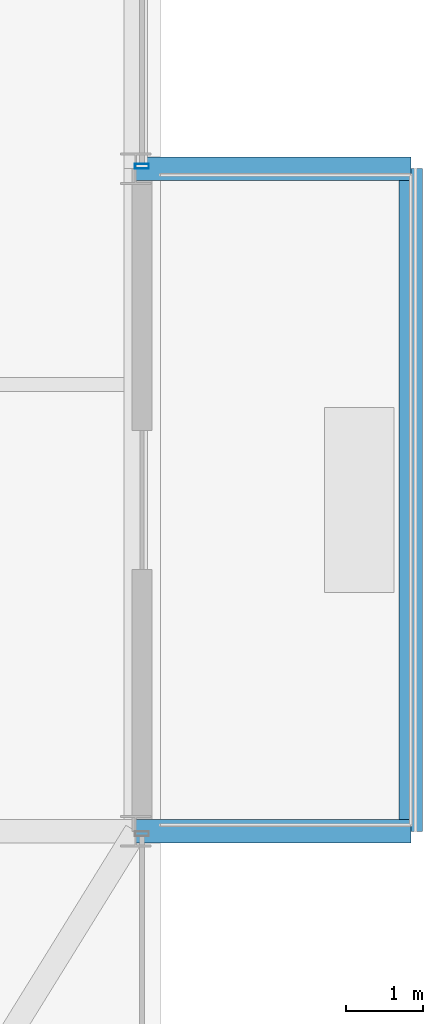
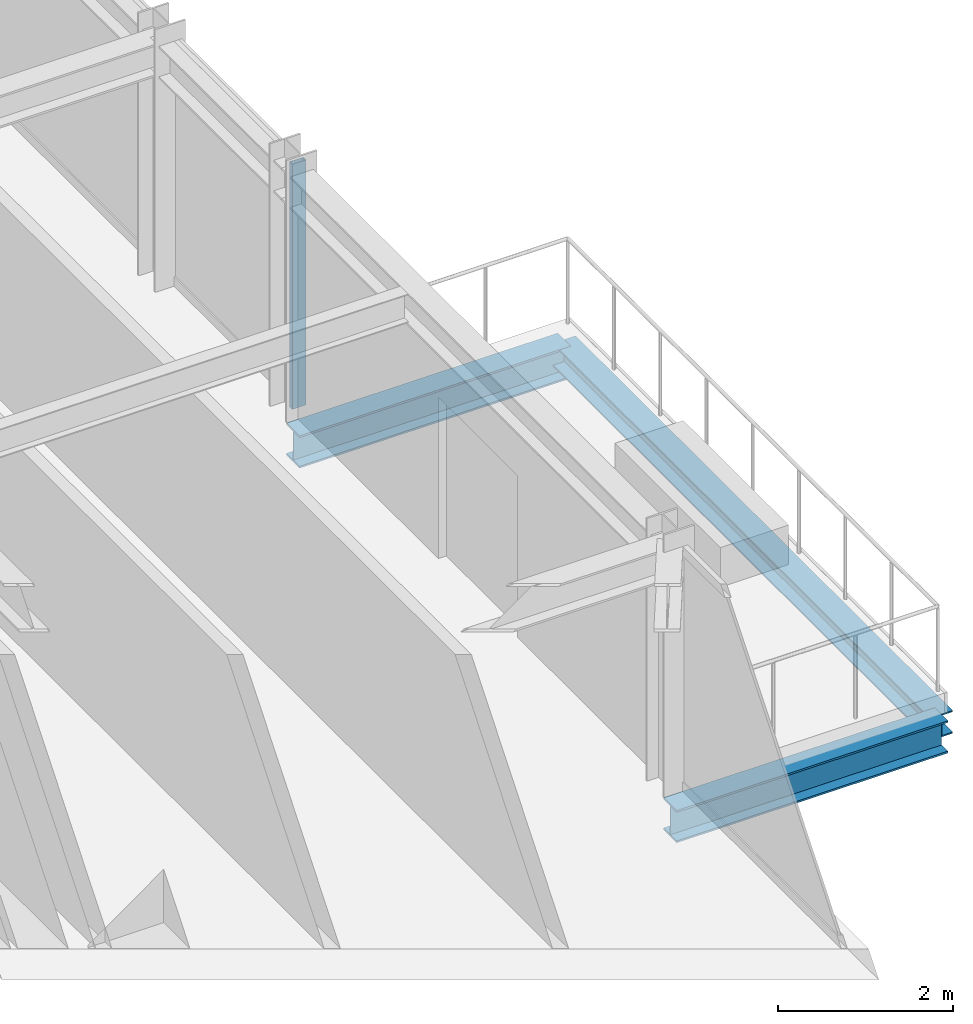
# One storey, part 15 of 43: 3 beams, 1 member, 1 element without a shape of its own.
"""IFC4 building model written with IfcOpenShell, lengths in metres."""

from ifc_helpers import new_model, si_unit, direction, frame, origin, origin_2d, place, context, subcontext, project, spatial, hollow_rectangle, i_section, extrude, source, transform, mapped, material, material_profile, profile_set, type_object, element, aggregate, save


model = new_model("IFC4")

# Units and contexts
model_context = context("Model", 3, precision=1e-05, world=origin(), true_north=direction((0.0, 1.0)))
body_context = subcontext(model_context, "Body", "Model", "MODEL_VIEW")
ifc_project = project(units=[si_unit("LENGTHUNIT", "METRE"), si_unit("AREAUNIT", "SQUARE_METRE"), si_unit("VOLUMEUNIT", "CUBIC_METRE"), si_unit("PLANEANGLEUNIT", "RADIAN"), si_unit("MASSUNIT", "GRAM", prefix="KILO")], contexts=[model_context])

# Site, building, storey
site_placement = place(None, origin())
site = spatial("IfcSite", under=ifc_project, at=site_placement, CompositionType="ELEMENT")
building_placement = place(site_placement, origin())
building = spatial("IfcBuilding", under=site, at=building_placement, Name="Nahalor Promenade Grand Hotel", CompositionType="ELEMENT")
storey_placement = place(building_placement, frame((0.0, 0.0, 204.89990234375)))
storey = spatial("IfcBuildingStorey", under=building, at=storey_placement, Name="L52", CompositionType="ELEMENT", Elevation=204.89990234375)

# Beams
ifc_material_1 = material(Name="Steel S355JR", Category="steel")
ifc_material_profile_1 = material_profile(ifc_material_1, i_section(OverallWidth=0.3, OverallDepth=0.32, WebThickness=0.0115, FlangeThickness=0.0205, at=origin_2d()), Name="HEB 320")
ifc_profile_set_1 = profile_set([ifc_material_profile_1], Name="Steel S355JR")
beam_type_1 = type_object("IfcBeamType", Name="Beam-BalcEdge-HEB320", PredefinedType="SPANDREL", material=ifc_profile_set_1)
shared_shape_1 = source(origin(), body_context, "Body", "SweptSolid", [
    extrude(i_section(OverallWidth=0.3, OverallDepth=0.32, WebThickness=0.0115, FlangeThickness=0.0205, at=origin_2d()), origin(), (0.0, 0.0, 1.0), 8.60009765625),
])
beam_placement = place(storey_placement, frame((27.449951171875, -17.0, -0.43994140625), z_axis=(0.0, 1.0, 0.0), x_axis=(-1.0, 0.0, 0.0)))
element("IfcBeam", 1, at=beam_placement, inside=storey, type_object=beam_type_1, Name="BM-L52-BC-02-F", PredefinedType="SPANDREL", context=body_context, shape_type="MappedRepresentation", body=[
    mapped(shared_shape_1, transform((0.0, 0.0, 0.0), scale=1.0)),
])
ifc_material_profile_2 = material_profile(ifc_material_1, i_section(OverallWidth=0.3, OverallDepth=0.45, WebThickness=0.014, FlangeThickness=0.026, at=origin_2d()), Name="HEB 450")
ifc_profile_set_2 = profile_set([ifc_material_profile_2], Name="Steel S355JR")
beam_type_2 = type_object("IfcBeamType", Name="Beam-Outrigger-HEB450", PredefinedType="BEAM", material=ifc_profile_set_2)
shared_shape_2 = source(origin(), body_context, "Body", "SweptSolid", [
    extrude(i_section(OverallWidth=0.3, OverallDepth=0.45, WebThickness=0.014, FlangeThickness=0.026, at=origin_2d()), origin(), (0.0, 0.0, 1.0), 3.570068359375),
])
for number, where, z_axis, x_axis, name in (
    (2, (23.8798828125, -17.0, -0.5048828125), (1.0, 0.0, 0.0), (0.0, 1.0, 0.0), "BM-L52-BC-02-1"),
    (3, (23.8798828125, -8.39990234375, -0.5048828125), (1.0, 0.0, 0.0), (0.0, 1.0, 0.0), "BM-L52-BC-02-2"),
):
    element("IfcBeam", number, at=place(storey_placement, frame(where, z_axis=z_axis, x_axis=x_axis)), inside=storey, type_object=beam_type_2, Name=name, PredefinedType="BEAM", context=body_context, shape_type="MappedRepresentation", body=[
        mapped(shared_shape_2, transform((0.0, 0.0, 0.0), scale=1.0)),
    ])

# Curtain wall, member
ifc_material_2 = material(Name="Anodised Bronze Aluminium EN AW-6063 T6", Category="aluminium")
curtain_wall_type = type_object("IfcCurtainWallType", Name="CW2 Typical Hotel Flush Bronze Unitised Curtain Wall", PredefinedType="USERDEFINED", material=ifc_material_2)
curtain_wall_placement = place(storey_placement, origin())
curtain_wall = element("IfcCurtainWall", 4, at=curtain_wall_placement, inside=storey, type_object=curtain_wall_type, Name="L52 Curtain Wall CW-L52-E-3", ObjectType="UNITISED_CURTAIN_WALL", PredefinedType="USERDEFINED")
ifc_material_profile_3 = material_profile(ifc_material_2, hollow_rectangle(XDim=0.065, YDim=0.18, WallThickness=0.004, at=origin_2d()), Name="CWM 65x180x4")
ifc_profile_set_3 = profile_set([ifc_material_profile_3], Name="Anodised Bronze Aluminium EN AW-6063 T6")
member_type = type_object("IfcMemberType", Name="CWM2 Typical Bronze Mullion 65x180", PredefinedType="MULLION", material=ifc_profile_set_3)
shared_shape_3 = source(origin(), body_context, "Body", "SweptSolid", [
    extrude(hollow_rectangle(XDim=0.065, YDim=0.18, WallThickness=0.004, at=origin_2d()), origin(), (0.0, 0.0, 1.0), 3.41015625),
])
member_placement = place(storey_placement, frame((23.9599609375, -8.367431640625, 0.0), z_axis=(0.0, 0.0, 1.0), x_axis=(0.0, 1.0, 0.0)))
member = element("IfcMember", 5, at=member_placement, type_object=member_type, Name="CW-L52-E-3 Mullion 0", PredefinedType="MULLION", context=body_context, shape_type="MappedRepresentation", body=[
    mapped(shared_shape_3, transform((0.0, 0.0, 0.0), scale=1.0)),
])
aggregate(curtain_wall, [member])

save(model, "model.ifc")
